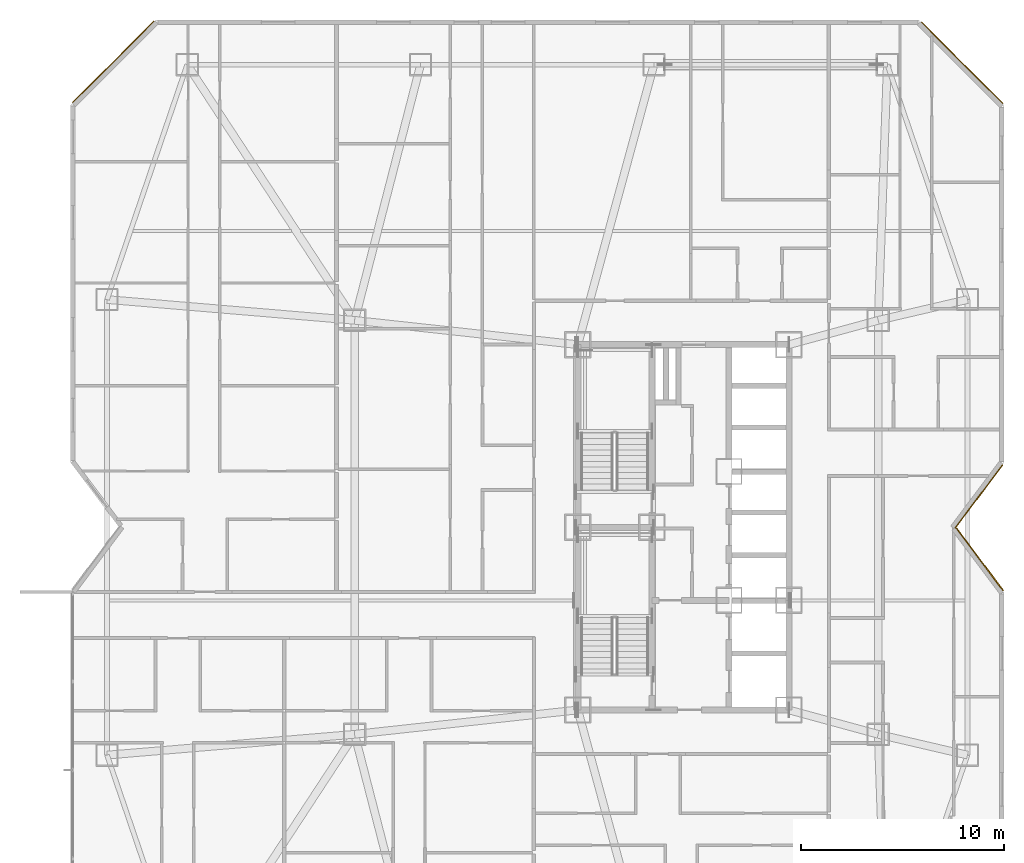
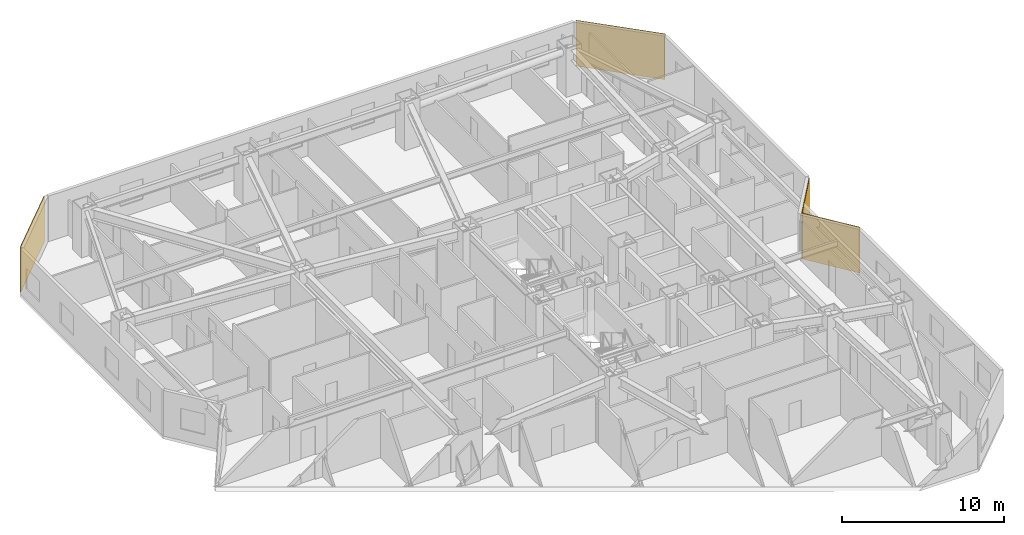
# One storey, part 19 of 19: 4 coverings.
"""IFC4 building model written with IfcOpenShell, lengths in metres."""

from ifc_helpers import new_model, si_unit, direction, frame, origin, origin_2d, place, context, subcontext, project, spatial, rectangle, extrude, material, layer, layer_set, type_object, element, save


model = new_model("IFC4")

# Units and contexts
model_context = context("Model", 3, precision=1e-05, world=origin(), true_north=direction((0.0, 1.0)))
body_context = subcontext(model_context, "Body", "Model", "MODEL_VIEW")
ifc_project = project(units=[si_unit("LENGTHUNIT", "METRE"), si_unit("AREAUNIT", "SQUARE_METRE"), si_unit("VOLUMEUNIT", "CUBIC_METRE"), si_unit("PLANEANGLEUNIT", "RADIAN"), si_unit("MASSUNIT", "GRAM", prefix="KILO")], contexts=[model_context])

# Site, building, storey
site_placement = place(None, origin())
site = spatial("IfcSite", under=ifc_project, at=site_placement, CompositionType="ELEMENT")
building_placement = place(site_placement, origin())
building = spatial("IfcBuilding", under=site, at=building_placement, Name="Khamvora Tower", CompositionType="ELEMENT")
storey_placement = place(building_placement, frame((0.0, 0.0, 58.85009765625)))
storey = spatial("IfcBuildingStorey", under=building, at=storey_placement, Name="L14", CompositionType="ELEMENT", Elevation=58.85009765625)

# Coverings
ifc_material_1 = material(Name="Pale Anodised Aluminium Rainscreen Panel", Category="aluminium")
ifc_layer_1 = layer(ifc_material_1, 0.044921875)
ifc_layer_set_1 = layer_set([ifc_layer_1], Name="Pale Anodised Aluminium Rainscreen Panel")
covering_type_1 = type_object("IfcCoveringType", Name="COV-CLD-ALU", PredefinedType="CLADDING", material=ifc_layer_set_1)
for number, where, z_axis, x_axis, name in (
    (1, (6.111083984375, 50.93701171875, 0.0), (0.0, 0.0, 1.0), (0.707106781187, 0.707106781187, 0.0), "L14 chamfer rainscreen cladding 06.1"),
    (2, (47.93701171875, 50.888916015625, 0.0), (0.0, 0.0, 1.0), (0.707106781187, -0.707106781187, 0.0), "L14 chamfer rainscreen cladding 08.1"),
):
    element("IfcCovering", number, at=place(storey_placement, frame(where, z_axis=z_axis, x_axis=x_axis)), inside=storey, type_object=covering_type_1, Name=name, PredefinedType="CLADDING", context=body_context, shape_type="SweptSolid", body=[
        extrude(rectangle(XDim=5.680908203125, YDim=0.044921875, at=origin_2d()), origin(), (0.0, 0.0, 1.0), 3.429931640625),
    ])
covering_1_placement = place(storey_placement, frame((48.760986328125, 29.51904296875, 0.0), z_axis=(0.0, 0.0, 1.0), x_axis=(-0.600120318085, -0.799909747298, 0.0)))
element("IfcCovering", 3, at=covering_1_placement, inside=storey, type_object=covering_type_1, Name="L14 chamfer rainscreen cladding 10.1", PredefinedType="CLADDING", context=body_context, shape_type="SweptSolid", body=[
    extrude(rectangle(XDim=3.888916015625, YDim=0.044921875, at=origin_2d()), origin(), (0.0, 0.0, 1.0), 3.429931640625),
])
ifc_material_2 = material(Name="Anodised Bronze Aluminium Spandrel Panel", Category="aluminium")
ifc_layer_2 = layer(ifc_material_2, 0.054931640625)
ifc_layer_set_2 = layer_set([ifc_layer_2], Name="Anodised Bronze Aluminium Spandrel Panel")
covering_type_2 = type_object("IfcCoveringType", Name="COV-CLD-BRZ", PredefinedType="CLADDING", material=ifc_layer_set_2)
covering_2_placement = place(storey_placement, frame((48.806884765625, 26.419921875, 0.0), z_axis=(0.0, 0.0, 1.0), x_axis=(0.600161988406, -0.799878483066, 0.0)))
element("IfcCovering", 4, at=covering_2_placement, inside=storey, type_object=covering_type_2, Name="L14 chamfer rainscreen cladding 11.1", PredefinedType="CLADDING", context=body_context, shape_type="SweptSolid", body=[
    extrude(rectangle(XDim=3.85107421875, YDim=0.054931640625, at=origin_2d()), origin(), (0.0, 0.0, 1.0), 3.429931640625),
])

save(model, "model.ifc")
